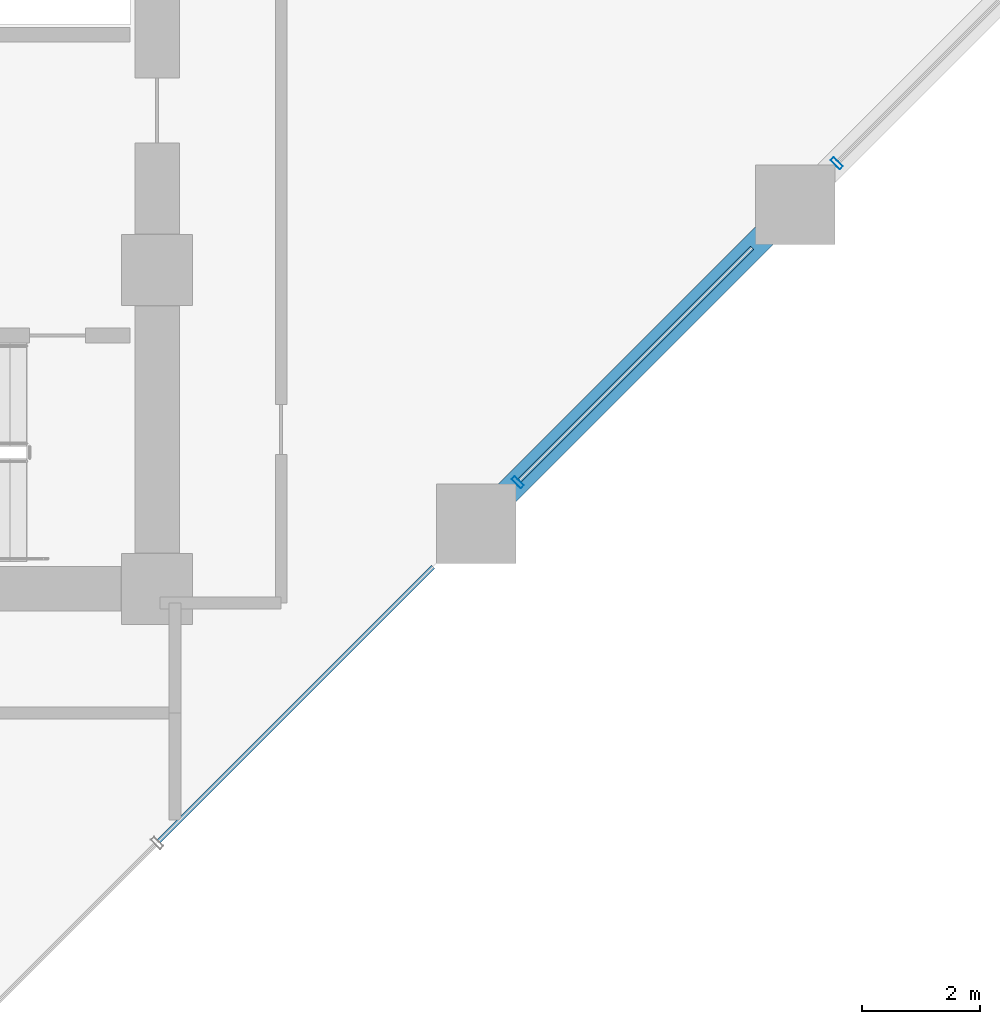
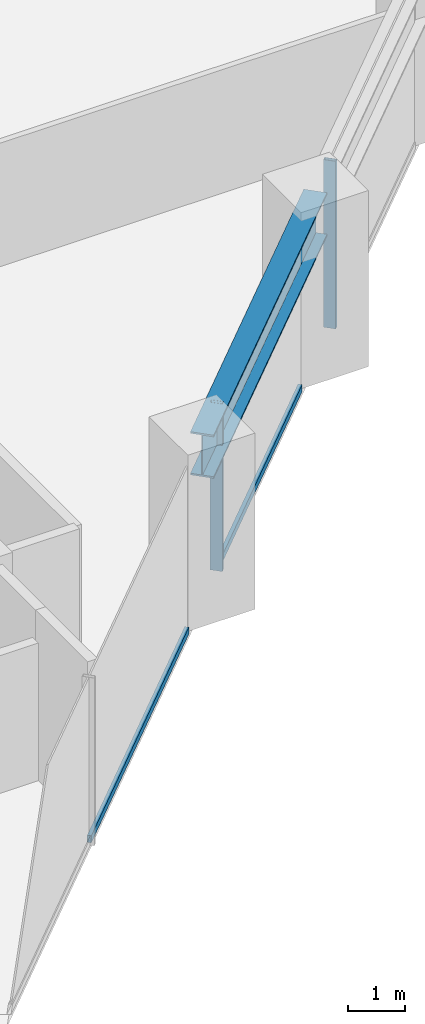
# One storey, part 8 of 25: 4 members, 1 beam, 1 element without a shape of its own.
"""IFC4 building model written with IfcOpenShell, lengths in metres."""

from ifc_helpers import new_model, si_unit, direction, frame, origin, origin_2d, place, context, subcontext, project, spatial, hollow_rectangle, i_section, extrude, material, layer, layer_set, material_profile, profile_set, type_object, element, aggregate, save


model = new_model("IFC4")

# Units and contexts
model_context = context("Model", 3, precision=1e-05, world=origin(), true_north=direction((0.0, 1.0)))
body_context = subcontext(model_context, "Body", "Model", "MODEL_VIEW")
ifc_project = project(units=[si_unit("LENGTHUNIT", "METRE"), si_unit("AREAUNIT", "SQUARE_METRE"), si_unit("VOLUMEUNIT", "CUBIC_METRE"), si_unit("PLANEANGLEUNIT", "RADIAN"), si_unit("MASSUNIT", "GRAM", prefix="KILO")], contexts=[model_context])

# Site, building, storey
site_placement = place(None, origin())
site = spatial("IfcSite", under=ifc_project, at=site_placement, CompositionType="ELEMENT")
building_placement = place(site_placement, origin())
building = spatial("IfcBuilding", under=site, at=building_placement, Name="Surkhivell Harbour Commons", CompositionType="ELEMENT")
storey_placement = place(building_placement, frame((0.0, 0.0, 41.25)))
storey = spatial("IfcBuildingStorey", under=building, at=storey_placement, Name="L10", CompositionType="ELEMENT", Elevation=41.25)

# Beam
ifc_material_1 = material(Name="Steel S460", Category="steel")
ifc_material_profile_1 = material_profile(ifc_material_1, i_section(OverallWidth=0.419921875, OverallDepth=0.9208984375, WebThickness=0.021484375, FlangeThickness=0.03662109375, at=origin_2d()), Name="UB914x419x388")
ifc_profile_set_1 = profile_set([ifc_material_profile_1], Name="Steel S460")
beam_type = type_object("IfcBeamType", Name="BM-SPN-914A", PredefinedType="SPANDREL", material=ifc_profile_set_1)
beam_placement = place(storey_placement, frame((16.199951171875, -9.699951171875, 3.109619140625), z_axis=(0.707122765516, 0.707090796496, 0.0), x_axis=(-0.707090796496, 0.707122765516, 0.0)))
element("IfcBeam", 1, at=beam_placement, inside=storey, type_object=beam_type, Name="L10 Tube Spandrel (16.2,-9.7)", PredefinedType="SPANDREL", context=body_context, shape_type="SweptSolid", body=[
    extrude(i_section(OverallWidth=0.419921875, OverallDepth=0.9208984375, WebThickness=0.021484375, FlangeThickness=0.03662109375, at=origin_2d()), origin(), (0.0, 0.0, 1.0), 7.63671875),
])

# Curtain wall, members
ifc_material_2 = material(Name="Anodised pale-metal aluminium and insulated glazing", Category="aluminium")
ifc_layer = layer(ifc_material_2, 0.219970703125)
ifc_layer_set = layer_set([ifc_layer], Name="Anodised pale-metal aluminium and insulated glazing")
curtain_wall_type = type_object("IfcCurtainWallType", Name="CW-SYS-Z1", PredefinedType="NOTDEFINED", material=ifc_layer_set)
curtain_wall_placement = place(storey_placement, origin())
curtain_wall = element("IfcCurtainWall", 2, at=curtain_wall_placement, inside=storey, type_object=curtain_wall_type, Name="L10 Curtain Wall CW-L10-E01", PredefinedType="NOTDEFINED")
ifc_material_3 = material(Name="Anodised pale-metal aluminium alloy 6063-T6", Category="aluminium")
ifc_material_profile_2 = material_profile(ifc_material_3, hollow_rectangle(XDim=0.074951171875, YDim=0.219970703125, WallThickness=0.00390625, at=origin_2d()), Name="ALU-MULL-75x220")
ifc_profile_set_2 = profile_set([ifc_material_profile_2], Name="Anodised pale-metal aluminium alloy 6063-T6")
member_type_1 = type_object("IfcMemberType", Name="CWM-220", PredefinedType="MULLION", material=ifc_profile_set_2)
member_1_placement = place(storey_placement, frame((16.9033203125, -8.99658203125, 0.0), z_axis=(0.0, 0.0, 1.0), x_axis=(0.707106781187, 0.707106781187, 0.0)))
member_1 = element("IfcMember", 3, at=member_1_placement, type_object=member_type_1, Name="CW-Z1 mullion 4", PredefinedType="MULLION", context=body_context, shape_type="SweptSolid", body=[
    extrude(hollow_rectangle(XDim=0.074951171875, YDim=0.219970703125, WallThickness=0.00390625, at=origin_2d()), origin(), (0.0, 0.0, 1.0), 3.570068359375),
])
member_2_placement = place(storey_placement, frame((22.30322265625, -3.5966796875, 0.0), z_axis=(0.0, 0.0, 1.0), x_axis=(0.707106781187, 0.707106781187, 0.0)))
member_2 = element("IfcMember", 4, at=member_2_placement, type_object=member_type_1, Name="CW-Z1 mullion 5", PredefinedType="MULLION", context=body_context, shape_type="SweptSolid", body=[
    extrude(hollow_rectangle(XDim=0.074951171875, YDim=0.219970703125, WallThickness=0.00390625, at=origin_2d()), origin(), (0.0, 0.0, 1.0), 3.570068359375),
])
ifc_material_profile_3 = material_profile(ifc_material_3, hollow_rectangle(XDim=0.074951171875, YDim=0.14990234375, WallThickness=0.00341796875, at=origin_2d()), Name="ALU-TRAN-75x150")
ifc_profile_set_3 = profile_set([ifc_material_profile_3], Name="Anodised pale-metal aluminium alloy 6063-T6")
member_type_2 = type_object("IfcMemberType", Name="CWT-150", PredefinedType="USERDEFINED", material=ifc_profile_set_3)
member_3_placement = place(storey_placement, frame((10.826416015625, -15.073486328125, 0.074951171875), z_axis=(0.70712536896, 0.707088192925, 0.0), x_axis=(-0.707088192925, 0.70712536896, 0.0)))
member_3 = element("IfcMember", 5, at=member_3_placement, type_object=member_type_2, Name="CW-Z1 transom 3.1", ObjectType="TRANSOM", PredefinedType="USERDEFINED", context=body_context, shape_type="SweptSolid", body=[
    extrude(hollow_rectangle(XDim=0.074951171875, YDim=0.14990234375, WallThickness=0.00341796875, at=origin_2d()), origin(), (0.0, 0.0, 1.0), 6.567138671875),
])
member_4_placement = place(storey_placement, frame((16.929931640625, -8.97021484375, 0.074951171875), z_axis=(0.707084874754, 0.70712868694, 0.0), x_axis=(-0.70712868694, 0.707084874754, 0.0)))
member_4 = element("IfcMember", 6, at=member_4_placement, type_object=member_type_2, Name="CW-Z1 transom 4.1", ObjectType="TRANSOM", PredefinedType="USERDEFINED", context=body_context, shape_type="SweptSolid", body=[
    extrude(hollow_rectangle(XDim=0.074951171875, YDim=0.14990234375, WallThickness=0.00341796875, at=origin_2d()), origin(), (0.0, 0.0, 1.0), 5.572509765625),
])
aggregate(curtain_wall, [member_3, member_1, member_4, member_2])

save(model, "model.ifc")
